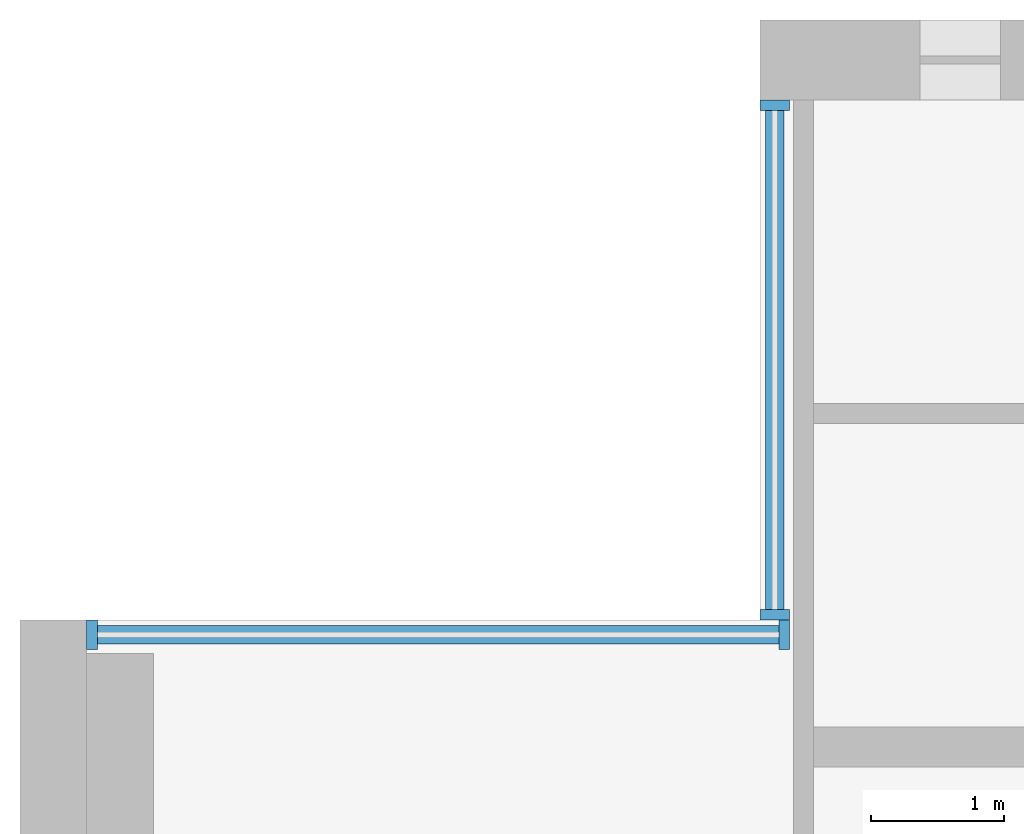
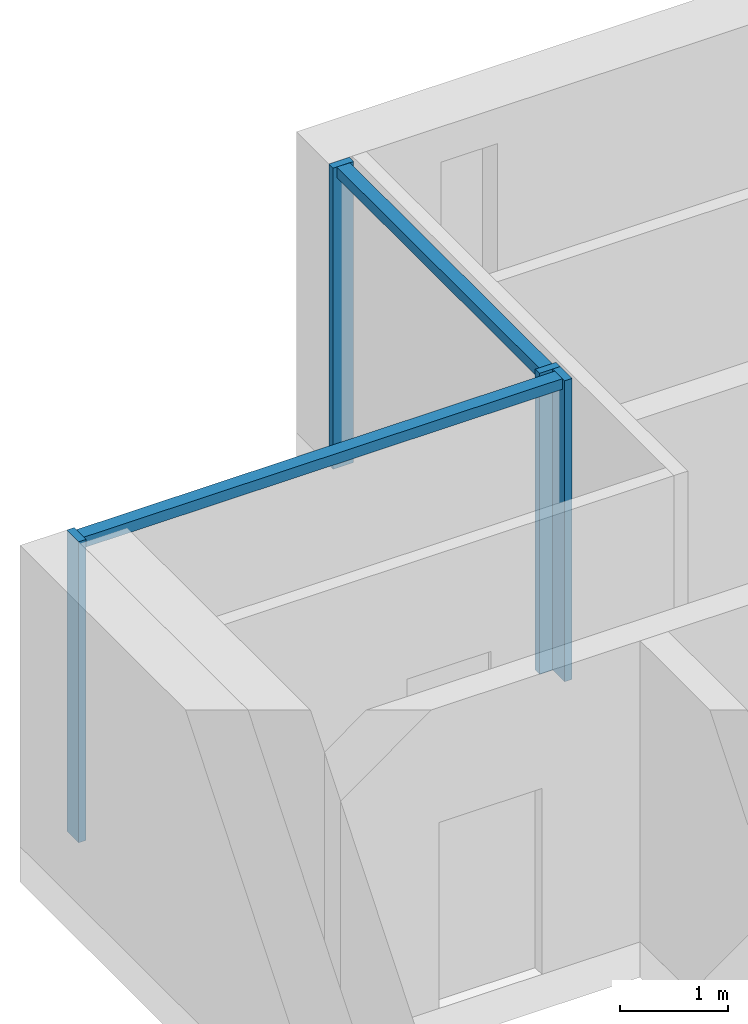
# One storey, part 4 of 14: 6 members, 2 elements without a shape of their own.
"""IFC4 building model written with IfcOpenShell, lengths in metres."""

from ifc_helpers import new_model, si_unit, direction, frame, origin, origin_2d, place, context, subcontext, project, spatial, rectangle, extrude, material, material_profile, profile_set, type_object, element, aggregate, save


model = new_model("IFC4")

# Units and contexts
model_context = context("Model", 3, precision=1e-05, world=origin(), true_north=direction((0.0, 1.0)))
body_context = subcontext(model_context, "Body", "Model", "MODEL_VIEW")
ifc_project = project(units=[si_unit("LENGTHUNIT", "METRE"), si_unit("AREAUNIT", "SQUARE_METRE"), si_unit("VOLUMEUNIT", "CUBIC_METRE"), si_unit("PLANEANGLEUNIT", "RADIAN"), si_unit("MASSUNIT", "GRAM", prefix="KILO")], contexts=[model_context])

# Site, building, storey
site_placement = place(None, origin())
site = spatial("IfcSite", under=ifc_project, at=site_placement, CompositionType="ELEMENT")
building_placement = place(site_placement, origin())
building = spatial("IfcBuilding", under=site, at=building_placement, Name="Calvaro Tower", CompositionType="ELEMENT")
storey_placement = place(building_placement, frame((0.0, 0.0, 243.14990234375)))
storey = spatial("IfcBuildingStorey", under=building, at=storey_placement, Name="L61", CompositionType="ELEMENT", Elevation=243.14990234375)

# Curtain wall, members
ifc_material_1 = material(Name="Anodised aluminium", Category="aluminium")
curtain_wall_type = type_object("IfcCurtainWallType", Name="Executive curtain wall", PredefinedType="NOTDEFINED", material=ifc_material_1)
curtain_wall_1_placement = place(storey_placement, origin())
curtain_wall_1 = element("IfcCurtainWall", 1, at=curtain_wall_1_placement, inside=storey, type_object=curtain_wall_type, Name="CW4 corner curtain wall", PredefinedType="NOTDEFINED")
ifc_material_2 = material(Name="Anodised aluminium", Category="aluminium")
ifc_material_profile_1 = material_profile(ifc_material_2, rectangle(XDim=0.219970703125, YDim=0.080078125, at=origin_2d()), Name="Mullion S4 80 x 220")
ifc_profile_set_1 = profile_set([ifc_material_profile_1], Name="Anodised aluminium")
member_type_1 = type_object("IfcMemberType", Name="Mullion S4 80 x 220", PredefinedType="MULLION", material=ifc_profile_set_1)
member_1_placement = place(storey_placement, frame((11.659912109375, 41.5400390625, 0.0), z_axis=(0.0, 0.0, 1.0), x_axis=(-1.0, 0.0, 0.0)))
member_1 = element("IfcMember", 2, at=member_1_placement, type_object=member_type_1, Name="CW4 mullion 1", PredefinedType="MULLION", context=body_context, shape_type="SweptSolid", body=[
    extrude(rectangle(XDim=0.219970703125, YDim=0.080078125, at=origin_2d()), origin(), (0.0, 0.0, 1.0), 3.400146484375),
])
member_2_placement = place(storey_placement, frame((11.659912109375, 45.360107421875, 0.0), z_axis=(0.0, 0.0, 1.0), x_axis=(-1.0, 0.0, 0.0)))
member_2 = element("IfcMember", 3, at=member_2_placement, type_object=member_type_1, Name="CW4 mullion 2", PredefinedType="MULLION", context=body_context, shape_type="SweptSolid", body=[
    extrude(rectangle(XDim=0.219970703125, YDim=0.080078125, at=origin_2d()), origin(), (0.0, 0.0, 1.0), 3.400146484375),
])

curtain_wall_2_placement = place(storey_placement, origin())
curtain_wall_2 = element("IfcCurtainWall", 4, at=curtain_wall_2_placement, inside=storey, type_object=curtain_wall_type, Name="CW4 corner curtain wall", PredefinedType="NOTDEFINED")
member_3_placement = place(storey_placement, frame((6.5400390625, 41.389892578125, 0.0), z_axis=(0.0, 0.0, 1.0), x_axis=(0.0, 1.0, 0.0)))
member_3 = element("IfcMember", 5, at=member_3_placement, type_object=member_type_1, Name="CW4 mullion 1", PredefinedType="MULLION", context=body_context, shape_type="SweptSolid", body=[
    extrude(rectangle(XDim=0.219970703125, YDim=0.080078125, at=origin_2d()), origin(), (0.0, 0.0, 1.0), 3.400146484375),
])
member_4_placement = place(storey_placement, frame((11.72998046875, 41.389892578125, 0.0), z_axis=(0.0, 0.0, 1.0), x_axis=(0.0, 1.0, 0.0)))
member_4 = element("IfcMember", 6, at=member_4_placement, type_object=member_type_1, Name="CW4 mullion 2", PredefinedType="MULLION", context=body_context, shape_type="SweptSolid", body=[
    extrude(rectangle(XDim=0.219970703125, YDim=0.080078125, at=origin_2d()), origin(), (0.0, 0.0, 1.0), 3.400146484375),
])

# Member
ifc_material_3 = material(Name="Anodised aluminium", Category="aluminium")
ifc_material_profile_2 = material_profile(ifc_material_3, rectangle(XDim=0.139892578125, YDim=0.1201171875, at=origin_2d()), Name="Transom S4 120 x 140")
ifc_profile_set_2 = profile_set([ifc_material_profile_2], Name="Anodised aluminium")
member_type_2 = type_object("IfcMemberType", Name="Transom S4 120 x 140", PredefinedType="USERDEFINED", material=ifc_profile_set_2)
member_5_placement = place(storey_placement, frame((11.659912109375, 41.580078125, 3.340087890625), z_axis=(0.0, 1.0, 0.0), x_axis=(-1.0, 0.0, 0.0)))
member_5 = element("IfcMember", 7, at=member_5_placement, type_object=member_type_2, Name="CW4 transom 1.1", ObjectType="TRANSOM", PredefinedType="USERDEFINED", context=body_context, shape_type="SweptSolid", body=[
    extrude(rectangle(XDim=0.139892578125, YDim=0.1201171875, at=origin_2d()), origin(), (0.0, 0.0, 1.0), 3.739990234375),
])

aggregate(curtain_wall_1, [member_1, member_2, member_5])

member_6_placement = place(storey_placement, frame((6.580078125, 41.389892578125, 3.340087890625), z_axis=(1.0, 0.0, 0.0), x_axis=(0.0, 1.0, 0.0)))
member_6 = element("IfcMember", 8, at=member_6_placement, type_object=member_type_2, Name="CW4 transom 1.1", ObjectType="TRANSOM", PredefinedType="USERDEFINED", context=body_context, shape_type="SweptSolid", body=[
    extrude(rectangle(XDim=0.139892578125, YDim=0.1201171875, at=origin_2d()), origin(), (0.0, 0.0, 1.0), 5.10986328125),
])

aggregate(curtain_wall_2, [member_3, member_4, member_6])

save(model, "model.ifc")
